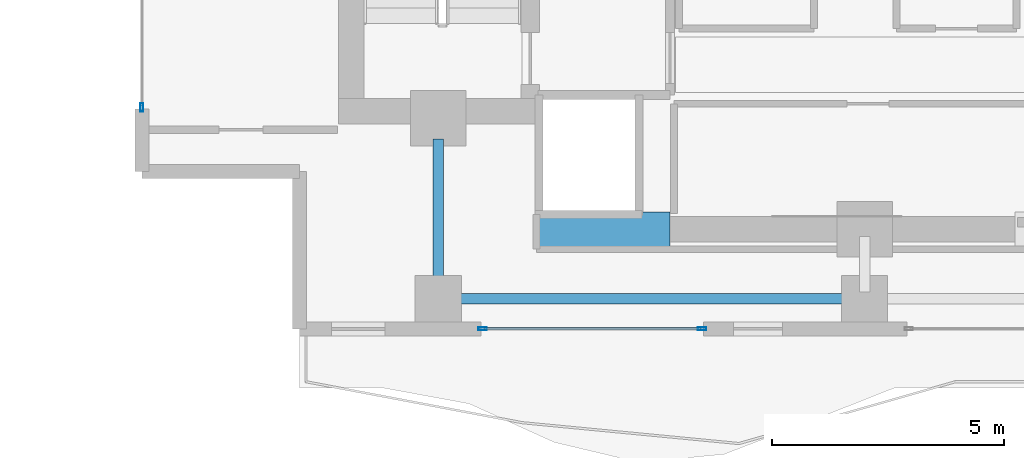
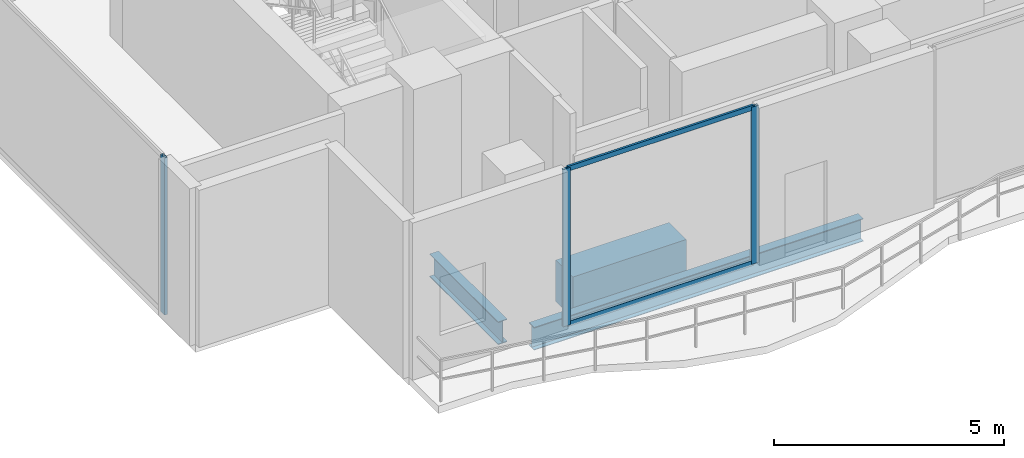
# One storey, part 2 of 23: 5 members, 3 beams, 2 elements without a shape of their own.
"""IFC4 building model written with IfcOpenShell, lengths in metres."""

from ifc_helpers import new_model, si_unit, direction, frame, origin, origin_2d, place, context, subcontext, project, spatial, rectangle, hollow_rectangle, i_section, extrude, material, layer, layer_set, material_profile, profile_set, type_object, element, aggregate, save


model = new_model("IFC4")

# Units and contexts
model_context = context("Model", 3, precision=1e-05, world=origin(), true_north=direction((0.0, 1.0)))
body_context = subcontext(model_context, "Body", "Model", "MODEL_VIEW")
ifc_project = project(units=[si_unit("LENGTHUNIT", "METRE"), si_unit("AREAUNIT", "SQUARE_METRE"), si_unit("VOLUMEUNIT", "CUBIC_METRE"), si_unit("PLANEANGLEUNIT", "RADIAN"), si_unit("MASSUNIT", "GRAM", prefix="KILO")], contexts=[model_context])

# Site, building, storey
site_placement = place(None, origin())
site = spatial("IfcSite", under=ifc_project, at=site_placement, CompositionType="ELEMENT")
building_placement = place(site_placement, origin())
building = spatial("IfcBuilding", under=site, at=building_placement, Name="Zuhayl Quay Hotel", CompositionType="ELEMENT")
storey_placement = place(building_placement, frame((0.0, 0.0, 288.449951171875)))
storey = spatial("IfcBuildingStorey", under=building, at=storey_placement, Name="L73", CompositionType="ELEMENT", Elevation=288.449951171875)

# Beams
ifc_material_1 = material(Name="Steel ASTM A992 Grade 50", Category="steel")
ifc_material_profile_1 = material_profile(ifc_material_1, i_section(OverallWidth=0.22802734375, OverallDepth=0.60693359375, WebThickness=0.01123046875, FlangeThickness=0.017333984375, at=origin_2d()), Name="W24X76")
ifc_profile_set_1 = profile_set([ifc_material_profile_1], Name="Steel ASTM A992 Grade 50")
beam_type_1 = type_object("IfcBeamType", Name="BM_B3_W24X76", PredefinedType="BEAM", material=ifc_profile_set_1)
beam_1_placement = place(storey_placement, frame((-13.340087890625, 0.64990234375, -0.5234375), z_axis=(1.0, 0.0, 0.0), x_axis=(0.0, 1.0, 0.0)))
element("IfcBeam", 1, at=beam_1_placement, inside=storey, type_object=beam_type_1, Name="L73 Floor Beam RG_L73_01", PredefinedType="BEAM", context=body_context, shape_type="SweptSolid", body=[
    extrude(i_section(OverallWidth=0.22802734375, OverallDepth=0.60693359375, WebThickness=0.01123046875, FlangeThickness=0.017333984375, at=origin_2d()), origin(), (0.0, 0.0, 1.0), 8.280029296875),
])
beam_2_placement = place(storey_placement, frame((-13.800048828125, 1.110107421875, -0.5234375), z_axis=(0.0, 1.0, 0.0), x_axis=(-1.0, 0.0, 0.0)))
element("IfcBeam", 2, at=beam_2_placement, inside=storey, type_object=beam_type_1, Name="L73 Floor Beam FG_S_L73_1", PredefinedType="BEAM", context=body_context, shape_type="SweptSolid", body=[
    extrude(i_section(OverallWidth=0.22802734375, OverallDepth=0.60693359375, WebThickness=0.01123046875, FlangeThickness=0.017333984375, at=origin_2d()), origin(), (0.0, 0.0, 1.0), 2.989990234375),
])
ifc_material_2 = material(Name="Concrete C60/75", Category="concrete")
ifc_material_profile_2 = material_profile(ifc_material_2, rectangle(XDim=0.75, YDim=1.10009765625, at=origin_2d()), Name="RC750X1100")
ifc_profile_set_2 = profile_set([ifc_material_profile_2], Name="Concrete C60/75")
beam_type_2 = type_object("IfcBeamType", Name="BM_CB2_RC750", PredefinedType="T_BEAM", material=ifc_profile_set_2)
beam_3_placement = place(storey_placement, frame((-11.64990234375, 2.14990234375, -0.77001953125), z_axis=(1.0, 0.0, 0.0), x_axis=(0.0, 1.0, 0.0)))
element("IfcBeam", 3, at=beam_3_placement, inside=storey, type_object=beam_type_2, Name="L73 Core Coupling Beam SW", PredefinedType="T_BEAM", context=body_context, shape_type="SweptSolid", body=[
    extrude(rectangle(XDim=0.75, YDim=1.10009765625, at=origin_2d()), origin(), (0.0, 0.0, 1.0), 2.849853515625),
])

# Curtain wall, member
ifc_material_3 = material(Name="Anodised Aluminium 6063-T6", Category="aluminium")
ifc_layer = layer(ifc_material_3, 0.169921875, Name="Anodised Aluminium 6063-T6", Category="aluminium")
ifc_layer_set = layer_set([ifc_layer], Name="Anodised Aluminium 6063-T6")
curtain_wall_type = type_object("IfcCurtainWallType", Name="CW_SYS_Z4", PredefinedType="USERDEFINED", material=ifc_layer_set)
curtain_wall_1_placement = place(storey_placement, origin())
curtain_wall_1 = element("IfcCurtainWall", 4, at=curtain_wall_1_placement, inside=storey, type_object=curtain_wall_type, Name="L73 Curtain Wall ENV_L73_E02_CW1", ObjectType="UNITISED CURTAIN WALL", PredefinedType="USERDEFINED")
ifc_material_4 = material(Name="Black-anodised aluminium 6063-T6", Category="aluminium")
ifc_material_profile_3 = material_profile(ifc_material_4, hollow_rectangle(XDim=0.06494140625, YDim=0.179931640625, WallThickness=0.00341796875, at=origin_2d()), Name="ALU180X65")
ifc_profile_set_3 = profile_set([ifc_material_profile_3], Name="Black-anodised aluminium 6063-T6")
member_type_1 = type_object("IfcMemberType", Name="MB_CW_MUL_180", PredefinedType="MULLION", material=ifc_profile_set_3)
member_1_placement = place(storey_placement, frame((-20.199951171875, 4.782470703125, 0.0), z_axis=(0.0, 0.0, 1.0), x_axis=(-1.0, 0.0, 0.0)))
member_1 = element("IfcMember", 5, at=member_1_placement, type_object=member_type_1, Name="CW-Z4 mullion 1", PredefinedType="MULLION", context=body_context, shape_type="SweptSolid", body=[
    extrude(hollow_rectangle(XDim=0.06494140625, YDim=0.179931640625, WallThickness=0.00341796875, at=origin_2d()), origin(), (0.0, 0.0, 1.0), 4.179931640625),
])
aggregate(curtain_wall_1, [member_1])

# Curtain wall, members
curtain_wall_2_placement = place(storey_placement, origin())
curtain_wall_2 = element("IfcCurtainWall", 6, at=curtain_wall_2_placement, inside=storey, type_object=curtain_wall_type, Name="L73 Curtain Wall ENV_L73_S_CW4", ObjectType="UNITISED CURTAIN WALL", PredefinedType="USERDEFINED")
member_2_placement = place(storey_placement, frame((-8.107421875, 0.0, 0.0), z_axis=(0.0, 0.0, 1.0), x_axis=(0.0, -1.0, 0.0)))
member_2 = element("IfcMember", 7, at=member_2_placement, type_object=member_type_1, Name="CW-Z4 mullion 1", PredefinedType="MULLION", context=body_context, shape_type="SweptSolid", body=[
    extrude(hollow_rectangle(XDim=0.06494140625, YDim=0.179931640625, WallThickness=0.00341796875, at=origin_2d()), origin(), (0.0, 0.0, 1.0), 4.179931640625),
])
member_3_placement = place(storey_placement, frame((-12.847412109375, 0.0, 0.0), z_axis=(0.0, 0.0, 1.0), x_axis=(0.0, -1.0, 0.0)))
member_3 = element("IfcMember", 8, at=member_3_placement, type_object=member_type_1, Name="CW-Z4 mullion 2", PredefinedType="MULLION", context=body_context, shape_type="SweptSolid", body=[
    extrude(hollow_rectangle(XDim=0.06494140625, YDim=0.179931640625, WallThickness=0.00341796875, at=origin_2d()), origin(), (0.0, 0.0, 1.0), 4.179931640625),
])
ifc_material_profile_4 = material_profile(ifc_material_4, hollow_rectangle(XDim=0.054931640625, YDim=0.1298828125, WallThickness=0.0029296875, at=origin_2d()), Name="ALU130X55")
ifc_profile_set_4 = profile_set([ifc_material_profile_4], Name="Black-anodised aluminium 6063-T6")
member_type_2 = type_object("IfcMemberType", Name="MB_CW_TRN_130", PredefinedType="USERDEFINED", material=ifc_profile_set_4)
member_4_placement = place(storey_placement, frame((-8.139892578125, 0.0, 0.027587890625), z_axis=(-1.0, 0.0, 0.0), x_axis=(0.0, -1.0, 0.0)))
member_4 = element("IfcMember", 9, at=member_4_placement, type_object=member_type_2, Name="CW-Z4 transom 1.1", ObjectType="TRANSOM", PredefinedType="USERDEFINED", context=body_context, shape_type="SweptSolid", body=[
    extrude(hollow_rectangle(XDim=0.054931640625, YDim=0.1298828125, WallThickness=0.0029296875, at=origin_2d()), origin(), (0.0, 0.0, 1.0), 4.675048828125),
])
member_5_placement = place(storey_placement, frame((-8.139892578125, 0.0, 4.152587890625), z_axis=(-1.0, 0.0, 0.0), x_axis=(0.0, -1.0, 0.0)))
member_5 = element("IfcMember", 10, at=member_5_placement, type_object=member_type_2, Name="CW-Z4 transom 1.2", ObjectType="TRANSOM", PredefinedType="USERDEFINED", context=body_context, shape_type="SweptSolid", body=[
    extrude(hollow_rectangle(XDim=0.054931640625, YDim=0.1298828125, WallThickness=0.0029296875, at=origin_2d()), origin(), (0.0, 0.0, 1.0), 4.675048828125),
])
aggregate(curtain_wall_2, [member_2, member_3, member_4, member_5])

save(model, "model.ifc")
